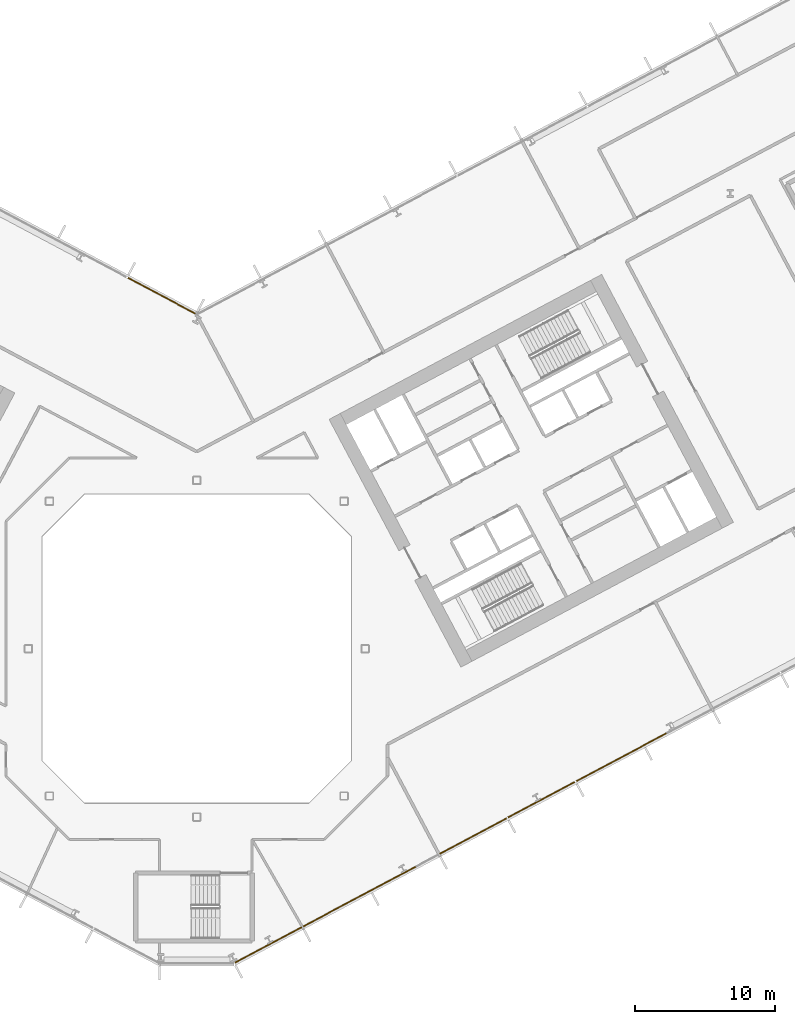
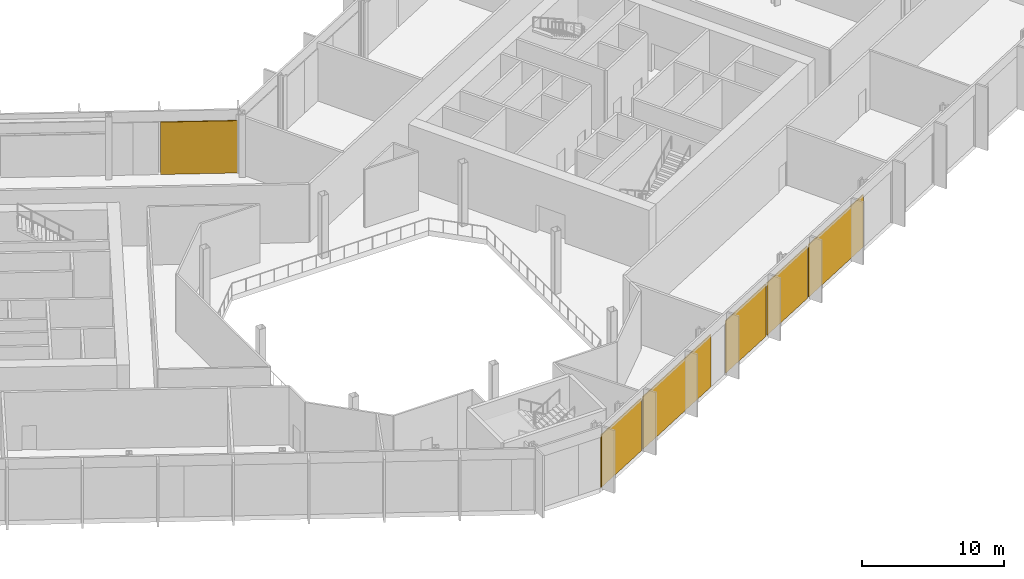
# One storey, part 26 of 32: 6 coverings, 2 elements without a shape of their own.
"""IFC4 building model written with IfcOpenShell, lengths in metres."""

from ifc_helpers import new_model, si_unit, direction, frame, origin, origin_2d, place, context, subcontext, project, spatial, rectangle, extrude, material, layer, layer_set, type_object, element, aggregate, save


model = new_model("IFC4")

# Units and contexts
model_context = context("Model", 3, precision=1e-05, world=origin(), true_north=direction((0.0, 1.0)))
body_context = subcontext(model_context, "Body", "Model", "MODEL_VIEW")
ifc_project = project(units=[si_unit("LENGTHUNIT", "METRE"), si_unit("AREAUNIT", "SQUARE_METRE"), si_unit("VOLUMEUNIT", "CUBIC_METRE"), si_unit("PLANEANGLEUNIT", "RADIAN"), si_unit("MASSUNIT", "GRAM", prefix="KILO")], contexts=[model_context])

# Site, building, storey
site_placement = place(None, origin())
site = spatial("IfcSite", under=ifc_project, at=site_placement, CompositionType="ELEMENT")
building_placement = place(site_placement, origin())
building = spatial("IfcBuilding", under=site, at=building_placement, Name="Cormorant Relay Tower", CompositionType="ELEMENT")
storey_placement = place(building_placement, frame((0.0, 0.0, 60.800048828125)))
storey = spatial("IfcBuildingStorey", under=building, at=storey_placement, Name="L11", CompositionType="ELEMENT", Elevation=60.800048828125)

# Curtain wall, coverings
ifc_material_1 = material(Name="Aluminium 6063-T6 anodised bronze", Category="aluminium")
ifc_layer_1 = layer(ifc_material_1, 0.235107421875)
ifc_layer_set_1 = layer_set([ifc_layer_1], Name="CW6 data hall curtain wall with mineral wool panels")
curtain_wall_type = type_object("IfcCurtainWallType", Name="CW6 data hall curtain wall with mineral wool panels", PredefinedType="NOTDEFINED", material=ifc_layer_set_1)
curtain_wall_1_placement = place(storey_placement, origin())
curtain_wall_1 = element("IfcCurtainWall", 1, at=curtain_wall_1_placement, inside=storey, type_object=curtain_wall_type, Name="CW6 curtain wall 2", PredefinedType="NOTDEFINED")
ifc_material_2 = material(Name="Mineral wool cored anodised bronze aluminium cassette panel", Category="aluminium")
ifc_layer_2 = layer(ifc_material_2, 0.074951171875)
ifc_layer_set_2 = layer_set([ifc_layer_2], Name="CW6 mineral wool cassette panel 75")
covering_type = type_object("IfcCoveringType", Name="CW6 mineral wool cassette panel 75", PredefinedType="CLADDING", material=ifc_layer_set_2)
covering_1_placement = place(storey_placement, frame((5.099853515625, -21.11474609375, 0.0), z_axis=(0.0, 0.0, 1.0), x_axis=(0.882947592859, 0.469471562786, 0.0)))
covering_1 = element("IfcCovering", 2, at=covering_1_placement, type_object=covering_type, Name="CW6 panel S00", PredefinedType="CLADDING", context=body_context, shape_type="SweptSolid", body=[
    extrude(rectangle(XDim=5.36181640625, YDim=0.074951171875, at=origin_2d()), origin(), (0.0, 0.0, 1.0), 4.5),
])
covering_2_placement = place(storey_placement, frame((11.60498046875, -17.656005859375, 0.0), z_axis=(0.0, 0.0, 1.0), x_axis=(0.882947592859, 0.469471562786, 0.0)))
covering_2 = element("IfcCovering", 3, at=covering_2_placement, type_object=covering_type, Name="CW6 panel S01", PredefinedType="CLADDING", context=body_context, shape_type="SweptSolid", body=[
    extrude(rectangle(XDim=9.07373046875, YDim=0.074951171875, at=origin_2d()), origin(), (0.0, 0.0, 1.0), 4.5),
])
covering_3_placement = place(storey_placement, frame((19.69970703125, -13.351806640625, 0.0), z_axis=(0.0, 0.0, 1.0), x_axis=(0.882947592859, 0.469471562786, 0.0)))
covering_3 = element("IfcCovering", 4, at=covering_3_placement, type_object=covering_type, Name="CW6 panel S03", PredefinedType="CLADDING", context=body_context, shape_type="SweptSolid", body=[
    extrude(rectangle(XDim=5.36181640625, YDim=0.074951171875, at=origin_2d()), origin(), (0.0, 0.0, 1.0), 4.5),
])
covering_4_placement = place(storey_placement, frame((24.56640625, -10.76416015625, 0.0), z_axis=(0.0, 0.0, 1.0), x_axis=(0.882947592859, 0.469471562786, 0.0)))
covering_4 = element("IfcCovering", 5, at=covering_4_placement, type_object=covering_type, Name="CW6 panel S04", PredefinedType="CLADDING", context=body_context, shape_type="SweptSolid", body=[
    extrude(rectangle(XDim=5.36181640625, YDim=0.074951171875, at=origin_2d()), origin(), (0.0, 0.0, 1.0), 4.5),
])
covering_5_placement = place(storey_placement, frame((30.277099609375, -7.727783203125, 0.0), z_axis=(0.0, 0.0, 1.0), x_axis=(0.882947592859, 0.469471562786, 0.0)))
covering_5 = element("IfcCovering", 6, at=covering_5_placement, type_object=covering_type, Name="CW6 panel S05", PredefinedType="CLADDING", context=body_context, shape_type="SweptSolid", body=[
    extrude(rectangle(XDim=7.273681640625, YDim=0.074951171875, at=origin_2d()), origin(), (0.0, 0.0, 1.0), 4.5),
])
aggregate(curtain_wall_1, [covering_1, covering_2, covering_3, covering_4, covering_5])

# Curtain wall, covering
curtain_wall_2_placement = place(storey_placement, origin())
curtain_wall_2 = element("IfcCurtainWall", 7, at=curtain_wall_2_placement, inside=storey, type_object=curtain_wall_type, Name="CW6 curtain wall 7", PredefinedType="NOTDEFINED")
covering_6_placement = place(storey_placement, frame((-2.5048828125, 25.158447265625, 0.0), z_axis=(0.0, 0.0, 1.0), x_axis=(-0.882947592859, 0.469471562786, 0.0)))
covering_6 = element("IfcCovering", 8, at=covering_6_placement, type_object=covering_type, Name="CW6 panel S00", PredefinedType="CLADDING", context=body_context, shape_type="SweptSolid", body=[
    extrude(rectangle(XDim=5.4140625, YDim=0.074951171875, at=origin_2d()), origin(), (0.0, 0.0, 1.0), 4.5),
])
aggregate(curtain_wall_2, [covering_6])

save(model, "model.ifc")
